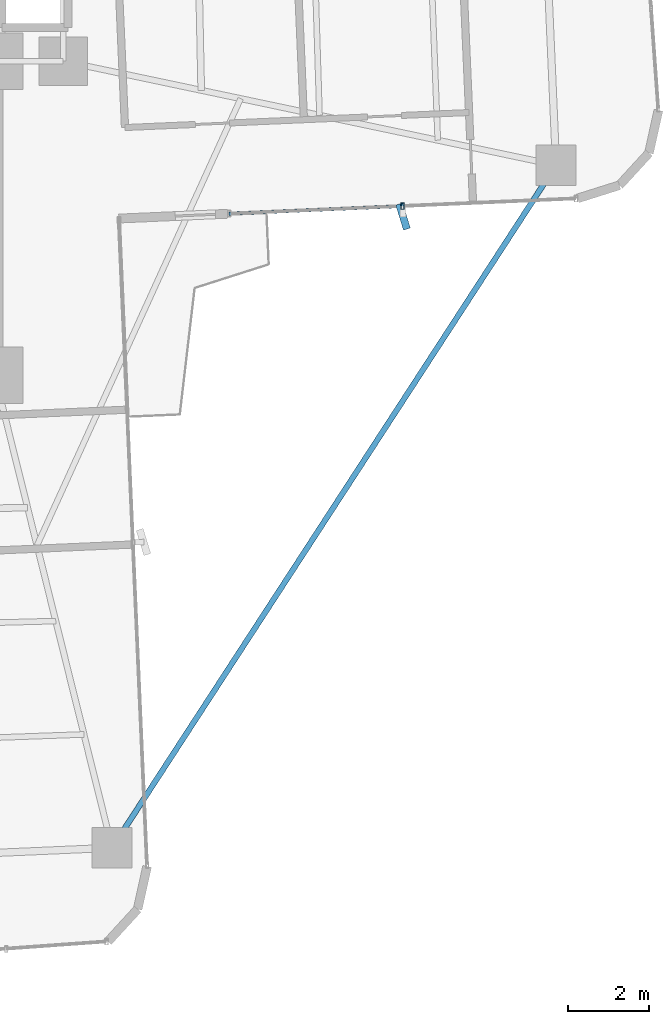
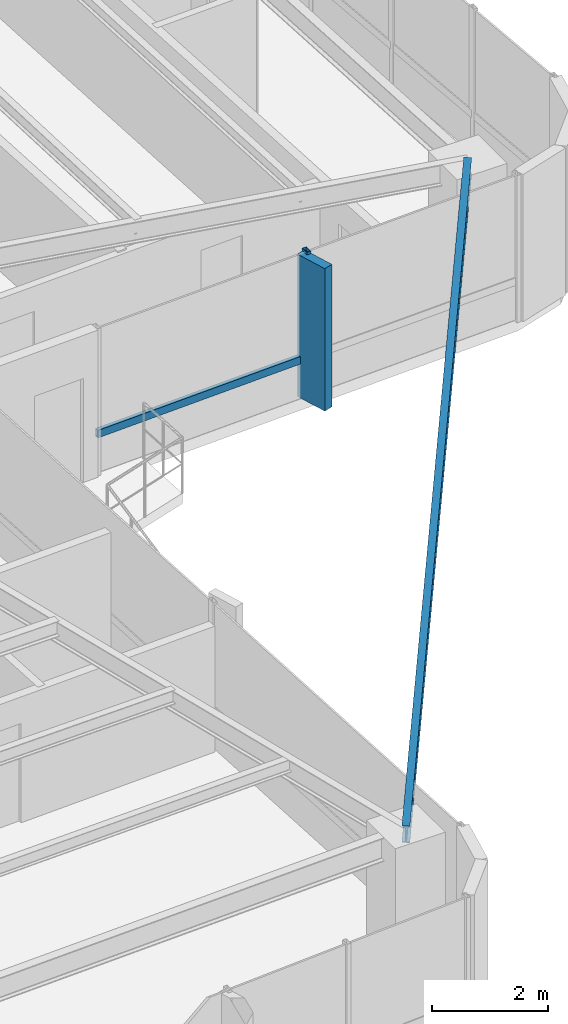
# One storey, part 14 of 26: 3 members, 1 beam, 1 element without a shape of its own.
"""IFC4 building model written with IfcOpenShell, lengths in metres."""

from ifc_helpers import new_model, si_unit, direction, frame, origin, origin_2d, place, context, subcontext, project, spatial, rectangle, hollow_rectangle, i_section, extrude, source, transform, mapped, material, material_profile, profile_set, type_object, element, aggregate, save


model = new_model("IFC4")

# Units and contexts
model_context = context("Model", 3, precision=1e-05, world=origin(), true_north=direction((0.0, 1.0)))
body_context = subcontext(model_context, "Body", "Model", "MODEL_VIEW")
ifc_project = project(units=[si_unit("LENGTHUNIT", "METRE"), si_unit("AREAUNIT", "SQUARE_METRE"), si_unit("VOLUMEUNIT", "CUBIC_METRE"), si_unit("PLANEANGLEUNIT", "RADIAN"), si_unit("MASSUNIT", "GRAM", prefix="KILO")], contexts=[model_context])

# Site, building, storey
site_placement = place(None, origin())
site = spatial("IfcSite", under=ifc_project, at=site_placement, CompositionType="ELEMENT")
building_placement = place(site_placement, origin())
building = spatial("IfcBuilding", under=site, at=building_placement, Name="Sahyath Konkavel Grand Hotel", CompositionType="ELEMENT")
storey_placement = place(building_placement, frame((0.0, 0.0, 124.85009765625)))
storey = spatial("IfcBuildingStorey", under=building, at=storey_placement, Name="L34", CompositionType="ELEMENT", Elevation=124.85009765625)

# Beam
ifc_material_1 = material(Name="Steel E350", Category="steel")
ifc_material_profile_1 = material_profile(ifc_material_1, i_section(OverallWidth=0.139892578125, OverallDepth=0.35009765625, WebThickness=0.008056640625, FlangeThickness=0.01416015625, FilletRadius=0.013916015625, at=origin_2d()), Name="ISMB 350")
ifc_profile_set_1 = profile_set([ifc_material_profile_1], Name="Steel E350")
beam_type = type_object("IfcBeamType", Name="BM-ISMB350", PredefinedType="BEAM", material=ifc_profile_set_1)
shared_shape_1 = source(origin(), body_context, "Body", "SweptSolid", [
    extrude(i_section(OverallWidth=0.139892578125, OverallDepth=0.35009765625, WebThickness=0.008056640625, FlangeThickness=0.01416015625, FilletRadius=0.013916015625, at=origin_2d()), origin(), (0.0, 0.0, 1.0), 20.21533203125),
])
beam_placement = place(storey_placement, frame((17.734130859375, -4.981201171875, 2.934814453125), z_axis=(-0.545191244931, -0.838311700056, 0.0), x_axis=(0.838311700056, -0.545191244931, 0.0)))
element("IfcBeam", 1, at=beam_placement, inside=storey, type_object=beam_type, Name="L34 Re-Entrant Tie Beam SE", PredefinedType="BEAM", context=body_context, shape_type="MappedRepresentation", body=[
    mapped(shared_shape_1, transform((0.0, 0.0, 0.0), scale=1.0)),
])

# Curtain wall, members
ifc_material_2 = material(Name="Anodised Bronze Aluminium & Low-E Glazing", Category="aluminium")
curtain_wall_type = type_object("IfcCurtainWallType", Name="CW-ZONE2", PredefinedType="NOTDEFINED", material=ifc_material_2)
curtain_wall_placement = place(storey_placement, origin())
curtain_wall = element("IfcCurtainWall", 2, at=curtain_wall_placement, inside=storey, type_object=curtain_wall_type, Name="L34 Unitised Curtain Wall F0", PredefinedType="NOTDEFINED")
ifc_material_3 = material(Name="Anodised Bronze Aluminium", Category="aluminium")
ifc_material_profile_2 = material_profile(ifc_material_3, hollow_rectangle(XDim=0.080078125, YDim=0.159912109375, WallThickness=0.006103515625, at=origin_2d()), Name="RHS 160x80x6")
ifc_profile_set_2 = profile_set([ifc_material_profile_2], Name="Anodised Bronze Aluminium")
member_type_1 = type_object("IfcMemberType", Name="CW-MUL-160", PredefinedType="MULLION", material=ifc_profile_set_2)
shared_shape_2 = source(origin(), body_context, "Body", "SweptSolid", [
    extrude(hollow_rectangle(XDim=0.080078125, YDim=0.159912109375, WallThickness=0.006103515625, at=origin_2d()), origin(), (0.0, 0.0, 1.0), 3.10986328125),
])
member_1_placement = place(storey_placement, frame((13.9248046875, -5.998291015625, 0.0), z_axis=(0.0, 0.0, 1.0), x_axis=(1.0, 0.0, 0.0)))
member_1 = element("IfcMember", 3, at=member_1_placement, type_object=member_type_1, Name="L34 Curtain Wall Mullion F0-1", PredefinedType="MULLION", context=body_context, shape_type="MappedRepresentation", body=[
    mapped(shared_shape_2, transform((0.0, 0.0, 0.0), scale=1.0)),
])
ifc_material_4 = material(Name="Warm Buff Sandstone Cladding on Concrete C50/60", Category="masonry")
ifc_material_profile_3 = material_profile(ifc_material_4, rectangle(XDim=0.179931640625, YDim=0.64990234375, at=origin_2d()), Name="FIN 180x650")
ifc_profile_set_3 = profile_set([ifc_material_profile_3], Name="Warm Buff Sandstone Cladding on Concrete C50/60")
member_type_2 = type_object("IfcMemberType", Name="FIN-SANDSTONE-650", PredefinedType="MULLION", material=ifc_profile_set_3)
shared_shape_3 = source(origin(), body_context, "Body", "SweptSolid", [
    extrude(rectangle(XDim=0.179931640625, YDim=0.64990234375, at=origin_2d()), origin(), (0.0, 0.0, 1.0), 3.010009765625),
])
member_2_placement = place(storey_placement, frame((13.936279296875, -6.258056640625, 0.0498046875), z_axis=(0.0, 0.0, 1.0), x_axis=(0.956151539415, 0.292872384621, 0.0)))
member_2 = element("IfcMember", 4, at=member_2_placement, type_object=member_type_2, Name="L34 Sandstone Vertical Solar Fin FIN F0-1", PredefinedType="MULLION", context=body_context, shape_type="MappedRepresentation", body=[
    mapped(shared_shape_3, transform((0.0, 0.0, 0.0), scale=1.0)),
])
ifc_material_profile_4 = material_profile(ifc_material_3, hollow_rectangle(XDim=0.080078125, YDim=0.159912109375, WallThickness=0.006103515625, at=origin_2d()), Name="RHS 160x80x6")
ifc_profile_set_4 = profile_set([ifc_material_profile_4], Name="Anodised Bronze Aluminium")
member_type_3 = type_object("IfcMemberType", Name="CW-TRN-160", PredefinedType="USERDEFINED", material=ifc_profile_set_4)
shared_shape_4 = source(origin(), body_context, "Body", "SweptSolid", [
    extrude(hollow_rectangle(XDim=0.080078125, YDim=0.159912109375, WallThickness=0.006103515625, at=origin_2d()), origin(), (0.0, 0.0, 1.0), 4.31005859375),
])
member_3_placement = place(storey_placement, frame((9.618896484375, -6.186279296875, 0.849853515625), z_axis=(0.999048340188, 0.043616670746, 0.0), x_axis=(-0.043616670746, 0.999048340188, 0.0)))
member_3 = element("IfcMember", 5, at=member_3_placement, type_object=member_type_3, Name="L34 Curtain Wall Transom F0-0-spandrel", ObjectType="TRANSOM", PredefinedType="USERDEFINED", context=body_context, shape_type="MappedRepresentation", body=[
    mapped(shared_shape_4, transform((0.0, 0.0, 0.0), scale=1.0)),
])
aggregate(curtain_wall, [member_1, member_2, member_3])

save(model, "model.ifc")
